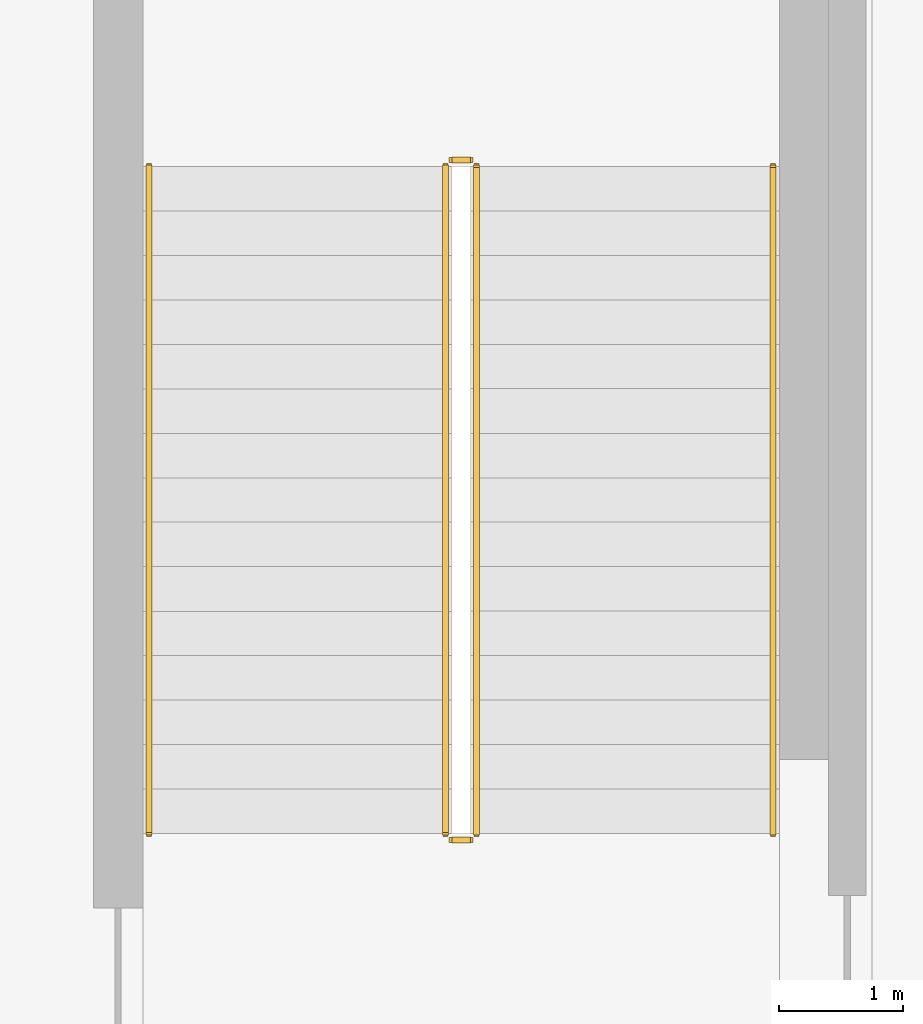
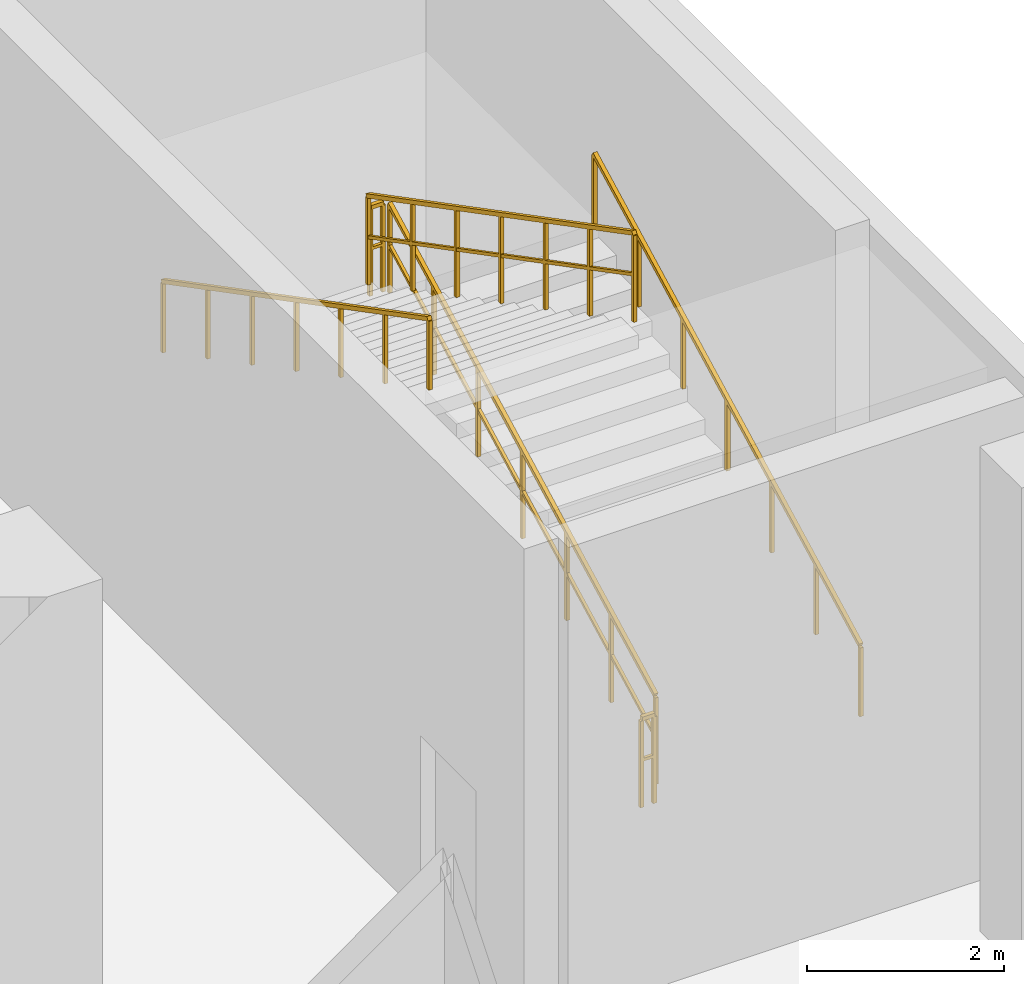
# One storey, part 37 of 39: 6 railings.
"""IFC4 building model written with IfcOpenShell, lengths in metres."""

from ifc_helpers import new_model, si_unit, direction, frame, origin, origin_2d, place, context, subcontext, project, spatial, rectangle, extrude, material, type_object, element, save


model = new_model("IFC4")

# Units and contexts
model_context = context("Model", 3, precision=1e-05, world=origin(), true_north=direction((0.0, 1.0)))
body_context = subcontext(model_context, "Body", "Model", "MODEL_VIEW")
ifc_project = project(units=[si_unit("LENGTHUNIT", "METRE"), si_unit("AREAUNIT", "SQUARE_METRE"), si_unit("VOLUMEUNIT", "CUBIC_METRE"), si_unit("PLANEANGLEUNIT", "RADIAN"), si_unit("MASSUNIT", "GRAM", prefix="KILO")], contexts=[model_context])

# Site, building, storey
site_placement = place(None, origin())
site = spatial("IfcSite", under=ifc_project, at=site_placement, CompositionType="ELEMENT")
building_placement = place(site_placement, origin())
building = spatial("IfcBuilding", under=site, at=building_placement, Name="Zuhayl Quay Hotel", CompositionType="ELEMENT")
storey_placement = place(building_placement, origin())
storey = spatial("IfcBuildingStorey", under=building, at=storey_placement, Name="L00", CompositionType="ELEMENT", Elevation=0.0)

# Railings
ifc_material = material(Name="Steel ASTM A992 Grade 50", Category="steel")
railing_type_1 = type_object("IfcRailingType", Name="RL_GUARD_1100", PredefinedType="GUARDRAIL", material=ifc_material)
railing_1_placement = place(storey_placement, frame((33.0, 4.10009765625, 0.1875)))
element("IfcRailing", 1, at=railing_1_placement, inside=storey, type_object=railing_type_1, Name="L00 ST4 stair guard 1", PredefinedType="GUARDRAIL", context=body_context, shape_type="SweptSolid", body=[
    extrude(rectangle(XDim=0.048095703125, YDim=0.048095703125, at=origin_2d()), frame((0.0, 0.0, 1.09619140625), z_axis=(0.0, 0.886910661554, 0.461940990194), x_axis=(-1.0, 0.0, 0.0)), (0.0, 0.0, 1.0), 6.08837890625),
    extrude(rectangle(XDim=0.0361328125, YDim=0.0361328125, at=origin_2d()), frame((0.0, 0.0, 0.58251953125), z_axis=(0.0, 0.886910661554, 0.461940990194), x_axis=(-1.0, 0.0, 0.0)), (0.0, 0.0, 1.0), 6.08837890625),
    extrude(rectangle(XDim=0.0419921875, YDim=0.0419921875, at=origin_2d()), origin(), (0.0, 0.0, 1.0), 1.072021484375),
    extrude(rectangle(XDim=0.0419921875, YDim=0.0419921875, at=origin_2d()), frame((0.0, 0.89990234375, 0.46875)), (0.0, 0.0, 1.0), 1.072021484375),
    extrude(rectangle(XDim=0.0419921875, YDim=0.0419921875, at=origin_2d()), frame((0.0, 1.800048828125, 0.9375)), (0.0, 0.0, 1.0), 1.072021484375),
    extrude(rectangle(XDim=0.0419921875, YDim=0.0419921875, at=origin_2d()), frame((0.0, 2.699951171875, 1.40625)), (0.0, 0.0, 1.0), 1.072021484375),
    extrude(rectangle(XDim=0.0419921875, YDim=0.0419921875, at=origin_2d()), frame((0.0, 3.599853515625, 1.875)), (0.0, 0.0, 1.0), 1.072021484375),
    extrude(rectangle(XDim=0.0419921875, YDim=0.0419921875, at=origin_2d()), frame((0.0, 4.5, 2.34375)), (0.0, 0.0, 1.0), 1.072021484375),
    extrude(rectangle(XDim=0.0419921875, YDim=0.0419921875, at=origin_2d()), frame((0.0, 5.39990234375, 2.8125)), (0.0, 0.0, 1.0), 1.072021484375),
])
railing_2_placement = place(storey_placement, frame((32.949951171875, 9.550048828125, 3.0)))
element("IfcRailing", 2, at=railing_2_placement, inside=storey, type_object=railing_type_1, Name="L00 ST4 stair guard 2", PredefinedType="GUARDRAIL", context=body_context, shape_type="SweptSolid", body=[
    extrude(rectangle(XDim=0.048095703125, YDim=0.048095703125, at=origin_2d()), frame((0.0, 0.0, 1.09619140625), z_axis=(-1.0, 0.0, 0.0), x_axis=(0.0, -1.0, 0.0)), (0.0, 0.0, 1.0), 0.14990234375),
    extrude(rectangle(XDim=0.0361328125, YDim=0.0361328125, at=origin_2d()), frame((0.0, 0.0, 0.58251953125), z_axis=(-1.0, 0.0, 0.0), x_axis=(0.0, -1.0, 0.0)), (0.0, 0.0, 1.0), 0.14990234375),
    extrude(rectangle(XDim=0.0419921875, YDim=0.0419921875, at=origin_2d()), origin(), (0.0, 0.0, 1.0), 1.072021484375),
    extrude(rectangle(XDim=0.0419921875, YDim=0.0419921875, at=origin_2d()), frame((-0.14990234375, 0.0, 0.0)), (0.0, 0.0, 1.0), 1.072021484375),
])
railing_3_placement = place(storey_placement, frame((32.75, 9.5, 3.1875)))
element("IfcRailing", 3, at=railing_3_placement, inside=storey, type_object=railing_type_1, Name="L00 ST4 stair guard 3", PredefinedType="GUARDRAIL", context=body_context, shape_type="SweptSolid", body=[
    extrude(rectangle(XDim=0.048095703125, YDim=0.048095703125, at=origin_2d()), frame((0.0, 0.0, 1.09619140625), z_axis=(0.0, -0.886910661554, 0.461940990194), x_axis=(1.0, 0.0, 0.0)), (0.0, 0.0, 1.0), 6.08837890625),
    extrude(rectangle(XDim=0.0361328125, YDim=0.0361328125, at=origin_2d()), frame((0.0, 0.0, 0.58251953125), z_axis=(0.0, -0.886910661554, 0.461940990194), x_axis=(1.0, 0.0, 0.0)), (0.0, 0.0, 1.0), 6.08837890625),
    extrude(rectangle(XDim=0.0419921875, YDim=0.0419921875, at=origin_2d()), origin(), (0.0, 0.0, 1.0), 1.072021484375),
    extrude(rectangle(XDim=0.0419921875, YDim=0.0419921875, at=origin_2d()), frame((0.0, -0.89990234375, 0.46875)), (0.0, 0.0, 1.0), 1.072021484375),
    extrude(rectangle(XDim=0.0419921875, YDim=0.0419921875, at=origin_2d()), frame((0.0, -1.800048828125, 0.9375)), (0.0, 0.0, 1.0), 1.072021484375),
    extrude(rectangle(XDim=0.0419921875, YDim=0.0419921875, at=origin_2d()), frame((0.0, -2.699951171875, 1.40625)), (0.0, 0.0, 1.0), 1.072021484375),
    extrude(rectangle(XDim=0.0419921875, YDim=0.0419921875, at=origin_2d()), frame((0.0, -3.599853515625, 1.875)), (0.0, 0.0, 1.0), 1.072021484375),
    extrude(rectangle(XDim=0.0419921875, YDim=0.0419921875, at=origin_2d()), frame((0.0, -4.5, 2.34375)), (0.0, 0.0, 1.0), 1.072021484375),
    extrude(rectangle(XDim=0.0419921875, YDim=0.0419921875, at=origin_2d()), frame((0.0, -5.39990234375, 2.8125)), (0.0, 0.0, 1.0), 1.072021484375),
])
railing_4_placement = place(storey_placement, frame((32.949951171875, 4.050048828125, 0.0)))
element("IfcRailing", 4, at=railing_4_placement, inside=storey, type_object=railing_type_1, Name="L00 ST4 stair guard 4", PredefinedType="GUARDRAIL", context=body_context, shape_type="SweptSolid", body=[
    extrude(rectangle(XDim=0.048095703125, YDim=0.048095703125, at=origin_2d()), frame((0.0, 0.0, 1.09619140625), z_axis=(-1.0, 0.0, 0.0), x_axis=(0.0, -1.0, 0.0)), (0.0, 0.0, 1.0), 0.14990234375),
    extrude(rectangle(XDim=0.0361328125, YDim=0.0361328125, at=origin_2d()), frame((0.0, 0.0, 0.58251953125), z_axis=(-1.0, 0.0, 0.0), x_axis=(0.0, -1.0, 0.0)), (0.0, 0.0, 1.0), 0.14990234375),
    extrude(rectangle(XDim=0.0419921875, YDim=0.0419921875, at=origin_2d()), origin(), (0.0, 0.0, 1.0), 1.072021484375),
    extrude(rectangle(XDim=0.0419921875, YDim=0.0419921875, at=origin_2d()), frame((-0.14990234375, 0.0, 0.0)), (0.0, 0.0, 1.0), 1.072021484375),
])
railing_type_2 = type_object("IfcRailingType", Name="RL_HANDRAIL_920", PredefinedType="HANDRAIL", material=ifc_material)
railing_5_placement = place(storey_placement, frame((35.39990234375, 4.10009765625, 0.1875)))
element("IfcRailing", 5, at=railing_5_placement, inside=storey, type_object=railing_type_2, Name="L00 ST4 stair handrail 1", PredefinedType="HANDRAIL", context=body_context, shape_type="SweptSolid", body=[
    extrude(rectangle(XDim=0.048095703125, YDim=0.048095703125, at=origin_2d()), frame((0.0, 0.0, 0.8759765625), z_axis=(0.0, 0.886910661554, 0.461940990194), x_axis=(-1.0, 0.0, 0.0)), (0.0, 0.0, 1.0), 6.08837890625),
    extrude(rectangle(XDim=0.0419921875, YDim=0.0419921875, at=origin_2d()), origin(), (0.0, 0.0, 1.0), 0.851806640625),
    extrude(rectangle(XDim=0.0419921875, YDim=0.0419921875, at=origin_2d()), frame((0.0, 0.89990234375, 0.46875)), (0.0, 0.0, 1.0), 0.851806640625),
    extrude(rectangle(XDim=0.0419921875, YDim=0.0419921875, at=origin_2d()), frame((0.0, 1.800048828125, 0.9375)), (0.0, 0.0, 1.0), 0.851806640625),
    extrude(rectangle(XDim=0.0419921875, YDim=0.0419921875, at=origin_2d()), frame((0.0, 2.699951171875, 1.40625)), (0.0, 0.0, 1.0), 0.851806640625),
    extrude(rectangle(XDim=0.0419921875, YDim=0.0419921875, at=origin_2d()), frame((0.0, 3.599853515625, 1.875)), (0.0, 0.0, 1.0), 0.851806640625),
    extrude(rectangle(XDim=0.0419921875, YDim=0.0419921875, at=origin_2d()), frame((0.0, 4.5, 2.34375)), (0.0, 0.0, 1.0), 0.851806640625),
    extrude(rectangle(XDim=0.0419921875, YDim=0.0419921875, at=origin_2d()), frame((0.0, 5.39990234375, 2.8125)), (0.0, 0.0, 1.0), 0.851806640625),
])
railing_6_placement = place(storey_placement, frame((30.35009765625, 9.5, 3.1875)))
element("IfcRailing", 6, at=railing_6_placement, inside=storey, type_object=railing_type_2, Name="L00 ST4 stair handrail 2", PredefinedType="HANDRAIL", context=body_context, shape_type="SweptSolid", body=[
    extrude(rectangle(XDim=0.048095703125, YDim=0.048095703125, at=origin_2d()), frame((0.0, 0.0, 0.8759765625), z_axis=(0.0, -0.886910661554, 0.461940990194), x_axis=(1.0, 0.0, 0.0)), (0.0, 0.0, 1.0), 6.08837890625),
    extrude(rectangle(XDim=0.0419921875, YDim=0.0419921875, at=origin_2d()), origin(), (0.0, 0.0, 1.0), 0.851806640625),
    extrude(rectangle(XDim=0.0419921875, YDim=0.0419921875, at=origin_2d()), frame((0.0, -0.89990234375, 0.46875)), (0.0, 0.0, 1.0), 0.851806640625),
    extrude(rectangle(XDim=0.0419921875, YDim=0.0419921875, at=origin_2d()), frame((0.0, -1.800048828125, 0.9375)), (0.0, 0.0, 1.0), 0.851806640625),
    extrude(rectangle(XDim=0.0419921875, YDim=0.0419921875, at=origin_2d()), frame((0.0, -2.699951171875, 1.40625)), (0.0, 0.0, 1.0), 0.851806640625),
    extrude(rectangle(XDim=0.0419921875, YDim=0.0419921875, at=origin_2d()), frame((0.0, -3.599853515625, 1.875)), (0.0, 0.0, 1.0), 0.851806640625),
    extrude(rectangle(XDim=0.0419921875, YDim=0.0419921875, at=origin_2d()), frame((0.0, -4.5, 2.34375)), (0.0, 0.0, 1.0), 0.851806640625),
    extrude(rectangle(XDim=0.0419921875, YDim=0.0419921875, at=origin_2d()), frame((0.0, -5.39990234375, 2.8125)), (0.0, 0.0, 1.0), 0.851806640625),
])

save(model, "model.ifc")
